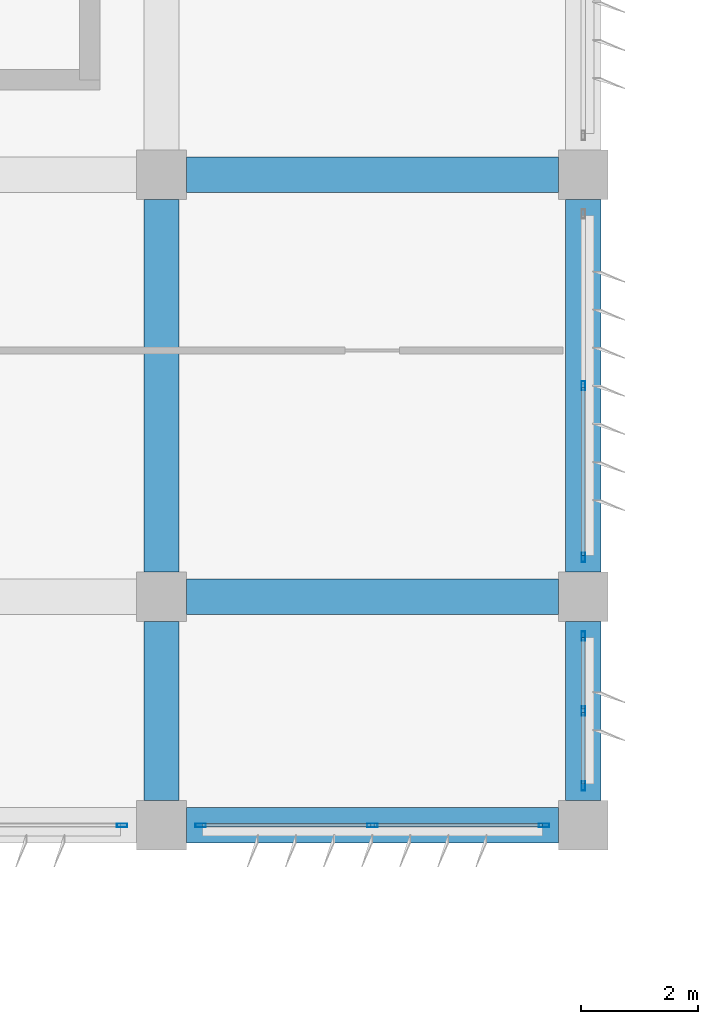
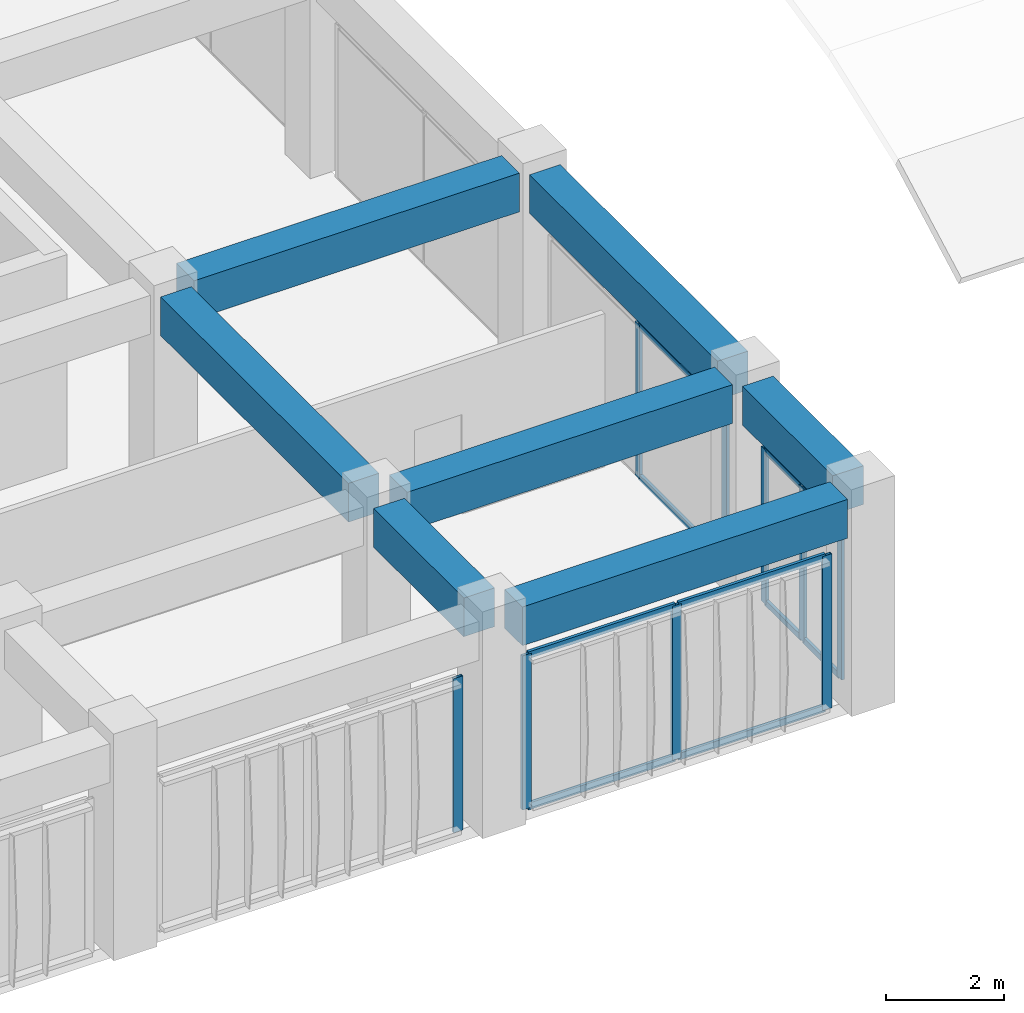
# One storey, part 18 of 55: 19 members, 7 beams, 4 elements without a shape of their own.
"""IFC4 building model written with IfcOpenShell, lengths in metres."""

from ifc_helpers import new_model, si_unit, direction, frame, origin, origin_2d, place, context, subcontext, project, spatial, rectangle, hollow_rectangle, extrude, material, material_profile, profile_set, type_object, element, aggregate, save


model = new_model("IFC4")

# Units and contexts
model_context = context("Model", 3, precision=1e-05, world=origin(), true_north=direction((0.0, 1.0)))
body_context = subcontext(model_context, "Body", "Model", "MODEL_VIEW")
ifc_project = project(units=[si_unit("LENGTHUNIT", "METRE"), si_unit("AREAUNIT", "SQUARE_METRE"), si_unit("VOLUMEUNIT", "CUBIC_METRE"), si_unit("PLANEANGLEUNIT", "RADIAN"), si_unit("MASSUNIT", "GRAM", prefix="KILO")], contexts=[model_context])

# Site, building, storey
site_placement = place(None, origin())
site = spatial("IfcSite", under=ifc_project, at=site_placement, CompositionType="ELEMENT")
building_placement = place(site_placement, origin())
building = spatial("IfcBuilding", under=site, at=building_placement, Name="Kazehaya Institute of Natural Sciences", CompositionType="ELEMENT")
storey_placement = place(building_placement, frame((0.0, 0.0, 15.1201171875)))
storey = spatial("IfcBuildingStorey", under=building, at=storey_placement, Name="L03", CompositionType="ELEMENT", Elevation=15.1201171875)

# Beams
ifc_material_1 = material(Name="Concrete Fc36", Category="concrete")
ifc_material_profile_1 = material_profile(ifc_material_1, rectangle(XDim=0.60009765625, YDim=0.800048828125, at=origin_2d()), Name="RC-600x800")
ifc_profile_set_1 = profile_set([ifc_material_profile_1], Name="Concrete Fc36")
beam_type = type_object("IfcBeamType", Name="BM-G-600x800", PredefinedType="BEAM", material=ifc_profile_set_1)
for number, where, z_axis, x_axis, name in (
    (1, (112.625, 10.10009765625, 4.009765625), (1.0, 0.0, 0.0), (0.0, 1.0, 0.0), "L03 primary X girder BMX-L03-1122-101"),
    (2, (112.625, 14.0, 4.009765625), (1.0, 0.0, 0.0), (0.0, 1.0, 0.0), "L03 primary X girder BMX-L03-1122-140"),
    (3, (112.625, 21.199951171875, 4.009765625), (1.0, 0.0, 0.0), (0.0, 1.0, 0.0), "L03 primary X girder BMX-L03-1122-212"),
):
    element("IfcBeam", number, at=place(storey_placement, frame(where, z_axis=z_axis, x_axis=x_axis)), inside=storey, type_object=beam_type, Name=name, PredefinedType="BEAM", context=body_context, shape_type="SweptSolid", body=[
        extrude(rectangle(XDim=0.60009765625, YDim=0.800048828125, at=origin_2d()), origin(), (0.0, 0.0, 1.0), 6.35009765625),
    ])
beam_1_placement = place(storey_placement, frame((112.199951171875, 10.52490234375, 4.009765625), z_axis=(0.0, 1.0, 0.0), x_axis=(-1.0, 0.0, 0.0)))
element("IfcBeam", 4, at=beam_1_placement, inside=storey, type_object=beam_type, Name="L03 primary Y girder BMY-L03-1122-101", PredefinedType="BEAM", context=body_context, shape_type="SweptSolid", body=[
    extrude(rectangle(XDim=0.60009765625, YDim=0.800048828125, at=origin_2d()), origin(), (0.0, 0.0, 1.0), 3.050048828125),
])
beam_2_placement = place(storey_placement, frame((112.199951171875, 14.425048828125, 4.009765625), z_axis=(0.0, 1.0, 0.0), x_axis=(-1.0, 0.0, 0.0)))
element("IfcBeam", 5, at=beam_2_placement, inside=storey, type_object=beam_type, Name="L03 primary Y girder BMY-L03-1122-140", PredefinedType="BEAM", context=body_context, shape_type="SweptSolid", body=[
    extrude(rectangle(XDim=0.60009765625, YDim=0.800048828125, at=origin_2d()), origin(), (0.0, 0.0, 1.0), 6.349853515625),
])
beam_3_placement = place(storey_placement, frame((119.39990234375, 10.52490234375, 4.009765625), z_axis=(0.0, 1.0, 0.0), x_axis=(-1.0, 0.0, 0.0)))
element("IfcBeam", 6, at=beam_3_placement, inside=storey, type_object=beam_type, Name="L03 primary Y girder BMY-L03-1194-101", PredefinedType="BEAM", context=body_context, shape_type="SweptSolid", body=[
    extrude(rectangle(XDim=0.60009765625, YDim=0.800048828125, at=origin_2d()), origin(), (0.0, 0.0, 1.0), 3.050048828125),
])
beam_4_placement = place(storey_placement, frame((119.39990234375, 14.425048828125, 4.009765625), z_axis=(0.0, 1.0, 0.0), x_axis=(-1.0, 0.0, 0.0)))
element("IfcBeam", 7, at=beam_4_placement, inside=storey, type_object=beam_type, Name="L03 primary Y girder BMY-L03-1194-140", PredefinedType="BEAM", context=body_context, shape_type="SweptSolid", body=[
    extrude(rectangle(XDim=0.60009765625, YDim=0.800048828125, at=origin_2d()), origin(), (0.0, 0.0, 1.0), 6.349853515625),
])

# Curtain wall, members
ifc_material_2 = material(Name="Aluminium alloy A6063S-T5", Category="aluminium")
curtain_wall_type_1 = type_object("IfcCurtainWallType", Name="CW-SYS-07", PredefinedType="NOTDEFINED", material=ifc_material_2)
curtain_wall_1_placement = place(storey_placement, origin())
curtain_wall_1 = element("IfcCurtainWall", 8, at=curtain_wall_1_placement, inside=storey, type_object=curtain_wall_type_1, Name="L03 unitised curtain wall CW-L03-069", PredefinedType="NOTDEFINED")
ifc_material_profile_2 = material_profile(ifc_material_2, hollow_rectangle(XDim=0.06005859375, YDim=0.159912109375, WallThickness=0.00390625, at=origin_2d()), Name="ALU-60x160x4")
ifc_profile_set_2 = profile_set([ifc_material_profile_2], Name="Aluminium alloy A6063S-T5")
member_type_1 = type_object("IfcMemberType", Name="CWM-160", PredefinedType="MULLION", material=ifc_profile_set_2)
member_1_placement = place(storey_placement, frame((119.39990234375, 13.330078125, 0.0), z_axis=(0.0, 0.0, 1.0), x_axis=(1.0, 0.0, 0.0)))
member_1 = element("IfcMember", 9, at=member_1_placement, type_object=member_type_1, Name="CW07 mullion 1", PredefinedType="MULLION", context=body_context, shape_type="SweptSolid", body=[
    extrude(hollow_rectangle(XDim=0.06005859375, YDim=0.159912109375, WallThickness=0.00390625, at=origin_2d()), origin(), (0.0, 0.0, 1.0), 3.179931640625),
])
member_2_placement = place(storey_placement, frame((119.39990234375, 12.050048828125, 0.0), z_axis=(0.0, 0.0, 1.0), x_axis=(1.0, 0.0, 0.0)))
member_2 = element("IfcMember", 10, at=member_2_placement, type_object=member_type_1, Name="CW07 mullion 2", PredefinedType="MULLION", context=body_context, shape_type="SweptSolid", body=[
    extrude(hollow_rectangle(XDim=0.06005859375, YDim=0.159912109375, WallThickness=0.00390625, at=origin_2d()), origin(), (0.0, 0.0, 1.0), 3.179931640625),
])
member_3_placement = place(storey_placement, frame((119.39990234375, 10.77001953125, 0.0), z_axis=(0.0, 0.0, 1.0), x_axis=(1.0, 0.0, 0.0)))
member_3 = element("IfcMember", 11, at=member_3_placement, type_object=member_type_1, Name="CW07 mullion 3", PredefinedType="MULLION", context=body_context, shape_type="SweptSolid", body=[
    extrude(hollow_rectangle(XDim=0.06005859375, YDim=0.159912109375, WallThickness=0.00390625, at=origin_2d()), origin(), (0.0, 0.0, 1.0), 3.179931640625),
])

curtain_wall_type_2 = type_object("IfcCurtainWallType", Name="CW-SYS-10", PredefinedType="NOTDEFINED", material=ifc_material_2)
curtain_wall_2_placement = place(storey_placement, origin())
curtain_wall_2 = element("IfcCurtainWall", 12, at=curtain_wall_2_placement, inside=storey, type_object=curtain_wall_type_2, Name="L03 unitised curtain wall CW-L03-071", PredefinedType="NOTDEFINED")
member_4_placement = place(storey_placement, frame((119.39990234375, 17.60009765625, 0.0), z_axis=(0.0, 0.0, 1.0), x_axis=(1.0, 0.0, 0.0)))
member_4 = element("IfcMember", 13, at=member_4_placement, type_object=member_type_1, Name="CW10 mullion 2", PredefinedType="MULLION", context=body_context, shape_type="SweptSolid", body=[
    extrude(hollow_rectangle(XDim=0.06005859375, YDim=0.159912109375, WallThickness=0.00390625, at=origin_2d()), origin(), (0.0, 0.0, 1.0), 3.179931640625),
])
member_5_placement = place(storey_placement, frame((119.39990234375, 14.669921875, 0.0), z_axis=(0.0, 0.0, 1.0), x_axis=(1.0, 0.0, 0.0)))
member_5 = element("IfcMember", 14, at=member_5_placement, type_object=member_type_1, Name="CW10 mullion 3", PredefinedType="MULLION", context=body_context, shape_type="SweptSolid", body=[
    extrude(hollow_rectangle(XDim=0.06005859375, YDim=0.159912109375, WallThickness=0.00390625, at=origin_2d()), origin(), (0.0, 0.0, 1.0), 3.179931640625),
])

curtain_wall_type_3 = type_object("IfcCurtainWallType", Name="CW-SYS-03", PredefinedType="NOTDEFINED", material=ifc_material_2)
curtain_wall_3_placement = place(storey_placement, origin())
curtain_wall_3 = element("IfcCurtainWall", 15, at=curtain_wall_3_placement, inside=storey, type_object=curtain_wall_type_3, Name="L03 unitised curtain wall CW-L03-057", PredefinedType="NOTDEFINED")
ifc_material_profile_3 = material_profile(ifc_material_2, hollow_rectangle(XDim=0.06005859375, YDim=0.179931640625, WallThickness=0.00390625, at=origin_2d()), Name="ALU-60x180x4")
ifc_profile_set_3 = profile_set([ifc_material_profile_3], Name="Aluminium alloy A6063S-T5")
member_type_2 = type_object("IfcMemberType", Name="CWM-180", PredefinedType="MULLION", material=ifc_profile_set_3)
member_6_placement = place(storey_placement, frame((118.72998046875, 10.10009765625, 0.0), z_axis=(0.0, 0.0, 1.0), x_axis=(0.0, -1.0, 0.0)))
member_6 = element("IfcMember", 16, at=member_6_placement, type_object=member_type_2, Name="CW03 mullion 1", PredefinedType="MULLION", context=body_context, shape_type="SweptSolid", body=[
    extrude(hollow_rectangle(XDim=0.06005859375, YDim=0.179931640625, WallThickness=0.00390625, at=origin_2d()), origin(), (0.0, 0.0, 1.0), 3.179931640625),
])
member_7_placement = place(storey_placement, frame((115.800048828125, 10.10009765625, 0.0), z_axis=(0.0, 0.0, 1.0), x_axis=(0.0, -1.0, 0.0)))
member_7 = element("IfcMember", 17, at=member_7_placement, type_object=member_type_2, Name="CW03 mullion 2", PredefinedType="MULLION", context=body_context, shape_type="SweptSolid", body=[
    extrude(hollow_rectangle(XDim=0.06005859375, YDim=0.179931640625, WallThickness=0.00390625, at=origin_2d()), origin(), (0.0, 0.0, 1.0), 3.179931640625),
])
member_8_placement = place(storey_placement, frame((112.8701171875, 10.10009765625, 0.0), z_axis=(0.0, 0.0, 1.0), x_axis=(0.0, -1.0, 0.0)))
member_8 = element("IfcMember", 18, at=member_8_placement, type_object=member_type_2, Name="CW03 mullion 3", PredefinedType="MULLION", context=body_context, shape_type="SweptSolid", body=[
    extrude(hollow_rectangle(XDim=0.06005859375, YDim=0.179931640625, WallThickness=0.00390625, at=origin_2d()), origin(), (0.0, 0.0, 1.0), 3.179931640625),
])

# Curtain wall, member
curtain_wall_4_placement = place(storey_placement, origin())
curtain_wall_4 = element("IfcCurtainWall", 19, at=curtain_wall_4_placement, inside=storey, type_object=curtain_wall_type_3, Name="L03 unitised curtain wall CW-L03-058", PredefinedType="NOTDEFINED")
member_9_placement = place(storey_placement, frame((111.530029296875, 10.10009765625, 0.0), z_axis=(0.0, 0.0, 1.0), x_axis=(0.0, -1.0, 0.0)))
member_9 = element("IfcMember", 20, at=member_9_placement, type_object=member_type_2, Name="CW03 mullion 1", PredefinedType="MULLION", context=body_context, shape_type="SweptSolid", body=[
    extrude(hollow_rectangle(XDim=0.06005859375, YDim=0.179931640625, WallThickness=0.00390625, at=origin_2d()), origin(), (0.0, 0.0, 1.0), 3.179931640625),
])
aggregate(curtain_wall_4, [member_9])

# Member
ifc_material_profile_4 = material_profile(ifc_material_2, hollow_rectangle(XDim=0.06005859375, YDim=0.1201171875, WallThickness=0.00341796875, at=origin_2d()), Name="ALU-60x120x3.5")
ifc_profile_set_4 = profile_set([ifc_material_profile_4], Name="Aluminium alloy A6063S-T5")
member_type_3 = type_object("IfcMemberType", Name="CWT-120", PredefinedType="USERDEFINED", material=ifc_profile_set_4)
member_10_placement = place(storey_placement, frame((119.39990234375, 13.300048828125, 0.02978515625), z_axis=(0.0, -1.0, 0.0), x_axis=(1.0, 0.0, 0.0)))
member_10 = element("IfcMember", 21, at=member_10_placement, type_object=member_type_3, Name="CW07 transom 1.1", ObjectType="TRANSOM", PredefinedType="USERDEFINED", context=body_context, shape_type="SweptSolid", body=[
    extrude(hollow_rectangle(XDim=0.06005859375, YDim=0.1201171875, WallThickness=0.00341796875, at=origin_2d()), origin(), (0.0, 0.0, 1.0), 1.219970703125),
])

member_11_placement = place(storey_placement, frame((119.39990234375, 13.300048828125, 3.14990234375), z_axis=(0.0, -1.0, 0.0), x_axis=(1.0, 0.0, 0.0)))
member_11 = element("IfcMember", 22, at=member_11_placement, type_object=member_type_3, Name="CW07 transom 1.2", ObjectType="TRANSOM", PredefinedType="USERDEFINED", context=body_context, shape_type="SweptSolid", body=[
    extrude(hollow_rectangle(XDim=0.06005859375, YDim=0.1201171875, WallThickness=0.00341796875, at=origin_2d()), origin(), (0.0, 0.0, 1.0), 1.219970703125),
])

member_12_placement = place(storey_placement, frame((119.39990234375, 12.02001953125, 0.02978515625), z_axis=(0.0, -1.0, 0.0), x_axis=(1.0, 0.0, 0.0)))
member_12 = element("IfcMember", 23, at=member_12_placement, type_object=member_type_3, Name="CW07 transom 2.1", ObjectType="TRANSOM", PredefinedType="USERDEFINED", context=body_context, shape_type="SweptSolid", body=[
    extrude(hollow_rectangle(XDim=0.06005859375, YDim=0.1201171875, WallThickness=0.00341796875, at=origin_2d()), origin(), (0.0, 0.0, 1.0), 1.219970703125),
])

member_13_placement = place(storey_placement, frame((119.39990234375, 12.02001953125, 3.14990234375), z_axis=(0.0, -1.0, 0.0), x_axis=(1.0, 0.0, 0.0)))
member_13 = element("IfcMember", 24, at=member_13_placement, type_object=member_type_3, Name="CW07 transom 2.2", ObjectType="TRANSOM", PredefinedType="USERDEFINED", context=body_context, shape_type="SweptSolid", body=[
    extrude(hollow_rectangle(XDim=0.06005859375, YDim=0.1201171875, WallThickness=0.00341796875, at=origin_2d()), origin(), (0.0, 0.0, 1.0), 1.219970703125),
])

aggregate(curtain_wall_1, [member_1, member_2, member_3, member_10, member_11, member_12, member_13])

member_14_placement = place(storey_placement, frame((119.39990234375, 17.570068359375, 0.02978515625), z_axis=(0.0, -1.0, 0.0), x_axis=(1.0, 0.0, 0.0)))
member_14 = element("IfcMember", 25, at=member_14_placement, type_object=member_type_3, Name="CW10 transom 2.1", ObjectType="TRANSOM", PredefinedType="USERDEFINED", context=body_context, shape_type="SweptSolid", body=[
    extrude(hollow_rectangle(XDim=0.06005859375, YDim=0.1201171875, WallThickness=0.00341796875, at=origin_2d()), origin(), (0.0, 0.0, 1.0), 2.8701171875),
])

member_15_placement = place(storey_placement, frame((119.39990234375, 17.570068359375, 3.14990234375), z_axis=(0.0, -1.0, 0.0), x_axis=(1.0, 0.0, 0.0)))
member_15 = element("IfcMember", 26, at=member_15_placement, type_object=member_type_3, Name="CW10 transom 2.2", ObjectType="TRANSOM", PredefinedType="USERDEFINED", context=body_context, shape_type="SweptSolid", body=[
    extrude(hollow_rectangle(XDim=0.06005859375, YDim=0.1201171875, WallThickness=0.00341796875, at=origin_2d()), origin(), (0.0, 0.0, 1.0), 2.8701171875),
])

aggregate(curtain_wall_2, [member_4, member_5, member_14, member_15])

ifc_material_profile_5 = material_profile(ifc_material_2, hollow_rectangle(XDim=0.06005859375, YDim=0.139892578125, WallThickness=0.00341796875, at=origin_2d()), Name="ALU-60x140x3.5")
ifc_profile_set_5 = profile_set([ifc_material_profile_5], Name="Aluminium alloy A6063S-T5")
member_type_4 = type_object("IfcMemberType", Name="CWT-140", PredefinedType="USERDEFINED", material=ifc_profile_set_5)
member_16_placement = place(storey_placement, frame((118.699951171875, 10.10009765625, 0.02978515625), z_axis=(-1.0, 0.0, 0.0), x_axis=(0.0, -1.0, 0.0)))
member_16 = element("IfcMember", 27, at=member_16_placement, type_object=member_type_4, Name="CW03 transom 1.1", ObjectType="TRANSOM", PredefinedType="USERDEFINED", context=body_context, shape_type="SweptSolid", body=[
    extrude(hollow_rectangle(XDim=0.06005859375, YDim=0.139892578125, WallThickness=0.00341796875, at=origin_2d()), origin(), (0.0, 0.0, 1.0), 2.869873046875),
])

member_17_placement = place(storey_placement, frame((118.699951171875, 10.10009765625, 3.14990234375), z_axis=(-1.0, 0.0, 0.0), x_axis=(0.0, -1.0, 0.0)))
member_17 = element("IfcMember", 28, at=member_17_placement, type_object=member_type_4, Name="CW03 transom 1.2", ObjectType="TRANSOM", PredefinedType="USERDEFINED", context=body_context, shape_type="SweptSolid", body=[
    extrude(hollow_rectangle(XDim=0.06005859375, YDim=0.139892578125, WallThickness=0.00341796875, at=origin_2d()), origin(), (0.0, 0.0, 1.0), 2.869873046875),
])

member_18_placement = place(storey_placement, frame((115.77001953125, 10.10009765625, 0.02978515625), z_axis=(-1.0, 0.0, 0.0), x_axis=(0.0, -1.0, 0.0)))
member_18 = element("IfcMember", 29, at=member_18_placement, type_object=member_type_4, Name="CW03 transom 2.1", ObjectType="TRANSOM", PredefinedType="USERDEFINED", context=body_context, shape_type="SweptSolid", body=[
    extrude(hollow_rectangle(XDim=0.06005859375, YDim=0.139892578125, WallThickness=0.00341796875, at=origin_2d()), origin(), (0.0, 0.0, 1.0), 2.8701171875),
])

member_19_placement = place(storey_placement, frame((115.77001953125, 10.10009765625, 3.14990234375), z_axis=(-1.0, 0.0, 0.0), x_axis=(0.0, -1.0, 0.0)))
member_19 = element("IfcMember", 30, at=member_19_placement, type_object=member_type_4, Name="CW03 transom 2.2", ObjectType="TRANSOM", PredefinedType="USERDEFINED", context=body_context, shape_type="SweptSolid", body=[
    extrude(hollow_rectangle(XDim=0.06005859375, YDim=0.139892578125, WallThickness=0.00341796875, at=origin_2d()), origin(), (0.0, 0.0, 1.0), 2.8701171875),
])

aggregate(curtain_wall_3, [member_6, member_7, member_8, member_16, member_17, member_18, member_19])

save(model, "model.ifc")
